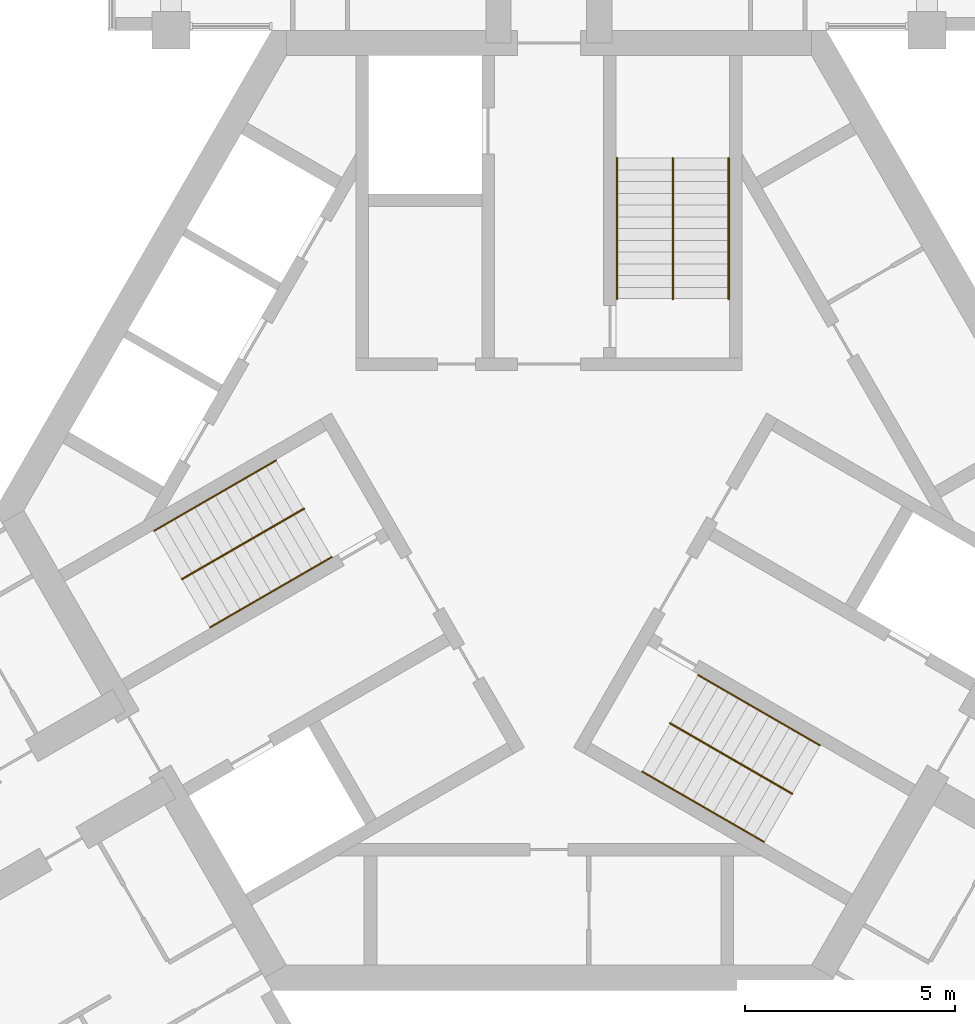
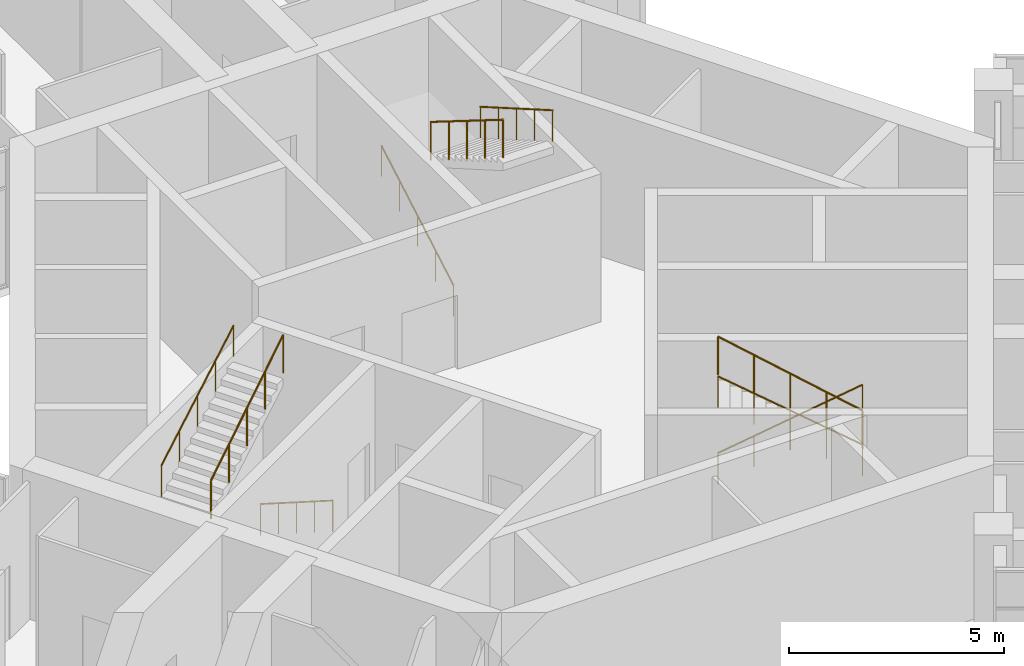
# One storey, part 14 of 14: 9 railings.
"""IFC4 building model written with IfcOpenShell, lengths in metres."""

from ifc_helpers import new_model, si_unit, direction, frame, origin, origin_2d, place, context, subcontext, project, spatial, circle, extrude, material, type_object, element, save


model = new_model("IFC4")

# Units and contexts
model_context = context("Model", 3, precision=1e-05, world=origin(), true_north=direction((0.0, 1.0)))
body_context = subcontext(model_context, "Body", "Model", "MODEL_VIEW")
ifc_project = project(units=[si_unit("LENGTHUNIT", "METRE"), si_unit("AREAUNIT", "SQUARE_METRE"), si_unit("VOLUMEUNIT", "CUBIC_METRE"), si_unit("PLANEANGLEUNIT", "RADIAN"), si_unit("MASSUNIT", "GRAM", prefix="KILO")], contexts=[model_context])

# Site, building, storey
site_placement = place(None, origin())
site = spatial("IfcSite", under=ifc_project, at=site_placement, CompositionType="ELEMENT")
building_placement = place(site_placement, origin())
building = spatial("IfcBuilding", under=site, at=building_placement, Name="Impinga Residences", CompositionType="ELEMENT")
storey_placement = place(building_placement, frame((0.0, 0.0, 291.550048828125)))
storey = spatial("IfcBuildingStorey", under=building, at=storey_placement, Name="L73", CompositionType="ELEMENT", Elevation=291.550048828125)

# Railings
ifc_material_1 = material(Name="Steel guard, powder coated", Category="steel")
railing_type_1 = type_object("IfcRailingType", Name="GR1 stair guard 1100", PredefinedType="GUARDRAIL", material=ifc_material_1)
railing_1_placement = place(storey_placement, frame((2.949951171875, 8.389892578125, 2.099853515625)))
element("IfcRailing", 1, at=railing_1_placement, inside=storey, type_object=railing_type_1, Name="Stair guard GR1 ST1 L73", PredefinedType="GUARDRAIL", context=body_context, shape_type="SweptSolid", body=[
    extrude(circle(Radius=0.02392578125, at=origin_2d()), frame((0.0, 0.0, 1.076171875), z_axis=(0.0, -0.847977533471, 0.530032171408), x_axis=(1.0, 0.0, 0.0)), (0.0, 0.0, 1.0), 3.962158203125),
    extrude(circle(Radius=0.02099609375, at=origin_2d()), origin(), (0.0, 0.0, 1.0), 1.052001953125),
    extrude(circle(Radius=0.02099609375, at=origin_2d()), frame((0.0, -0.83984375, 0.52490234375)), (0.0, 0.0, 1.0), 1.052001953125),
    extrude(circle(Radius=0.02099609375, at=origin_2d()), frame((0.0, -1.679931640625, 1.050048828125)), (0.0, 0.0, 1.0), 1.052001953125),
    extrude(circle(Radius=0.02099609375, at=origin_2d()), frame((0.0, -2.52001953125, 1.5751953125)), (0.0, 0.0, 1.0), 1.052001953125),
    extrude(circle(Radius=0.02099609375, at=origin_2d()), frame((0.0, -3.35986328125, 2.10009765625)), (0.0, 0.0, 1.0), 1.052001953125),
])
railing_2_placement = place(storey_placement, frame((-8.740966796875, -1.64013671875, 2.099853515625)))
element("IfcRailing", 2, at=railing_2_placement, inside=storey, type_object=railing_type_1, Name="Stair guard GR1 ST2 L73", PredefinedType="GUARDRAIL", context=body_context, shape_type="SweptSolid", body=[
    extrude(circle(Radius=0.02392578125, at=origin_2d()), frame((0.0, 0.0, 1.076171875), z_axis=(0.734391613324, 0.423974216904, 0.530013982533), x_axis=(-0.499976138585, 0.866039179741, 0.0)), (0.0, 0.0, 1.0), 3.96240234375),
    extrude(circle(Radius=0.02099609375, at=origin_2d()), origin(), (0.0, 0.0, 1.0), 1.052001953125),
    extrude(circle(Radius=0.02099609375, at=origin_2d()), frame((0.7275390625, 0.419921875, 0.52490234375)), (0.0, 0.0, 1.0), 1.052001953125),
    extrude(circle(Radius=0.02099609375, at=origin_2d()), frame((1.455078125, 0.83984375, 1.050048828125)), (0.0, 0.0, 1.0), 1.052001953125),
    extrude(circle(Radius=0.02099609375, at=origin_2d()), frame((2.182373046875, 1.260009765625, 1.5751953125)), (0.0, 0.0, 1.0), 1.052001953125),
    extrude(circle(Radius=0.02099609375, at=origin_2d()), frame((2.909912109375, 1.679931640625, 2.10009765625)), (0.0, 0.0, 1.0), 1.052001953125),
])
railing_3_placement = place(storey_placement, frame((5.791015625, -6.749755859375, 2.099853515625)))
element("IfcRailing", 3, at=railing_3_placement, inside=storey, type_object=railing_type_1, Name="Stair guard GR1 ST3 L73", PredefinedType="GUARDRAIL", context=body_context, shape_type="SweptSolid", body=[
    extrude(circle(Radius=0.02392578125, at=origin_2d()), frame((0.0, 0.0, 1.076171875), z_axis=(-0.734391613324, 0.423974216904, 0.530013982533), x_axis=(-0.499976138585, -0.866039179741, 0.0)), (0.0, 0.0, 1.0), 3.96240234375),
    extrude(circle(Radius=0.02099609375, at=origin_2d()), origin(), (0.0, 0.0, 1.0), 1.052001953125),
    extrude(circle(Radius=0.02099609375, at=origin_2d()), frame((-0.7275390625, 0.419921875, 0.52490234375)), (0.0, 0.0, 1.0), 1.052001953125),
    extrude(circle(Radius=0.02099609375, at=origin_2d()), frame((-1.455078125, 0.83984375, 1.050048828125)), (0.0, 0.0, 1.0), 1.052001953125),
    extrude(circle(Radius=0.02099609375, at=origin_2d()), frame((-2.182373046875, 1.260009765625, 1.5751953125)), (0.0, 0.0, 1.0), 1.052001953125),
    extrude(circle(Radius=0.02099609375, at=origin_2d()), frame((-2.909912109375, 1.679931640625, 2.10009765625)), (0.0, 0.0, 1.0), 1.052001953125),
])
ifc_material_2 = material(Name="Steel handrail tube 42 mm, powder coated", Category="steel")
railing_type_2 = type_object("IfcRailingType", Name="HR1 stair handrail, 42 mm steel tube, 900 above the pitch line", PredefinedType="HANDRAIL", material=ifc_material_2)
railing_4_placement = place(storey_placement, frame((1.62109375, 5.030029296875, 0.161376953125)))
element("IfcRailing", 4, at=railing_4_placement, inside=storey, type_object=railing_type_2, Name="Stair handrail HR1 ST1 L73", PredefinedType="HANDRAIL", context=body_context, shape_type="SweptSolid", body=[
    extrude(circle(Radius=0.02099609375, at=origin_2d()), frame((0.0, 0.0, 0.87890625), z_axis=(0.0, 0.866175107563, 0.499740615757), x_axis=(-1.0, 0.0, 0.0)), (0.0, 0.0, 1.0), 3.87890625),
    extrude(circle(Radius=0.012451171875, at=origin_2d()), origin(), (0.0, 0.0, 1.0), 0.85791015625),
    extrude(circle(Radius=0.012451171875, at=origin_2d()), frame((0.0, 0.83984375, 0.484619140625)), (0.0, 0.0, 1.0), 0.85791015625),
    extrude(circle(Radius=0.012451171875, at=origin_2d()), frame((0.0, 1.679931640625, 0.96923828125)), (0.0, 0.0, 1.0), 0.85791015625),
    extrude(circle(Radius=0.012451171875, at=origin_2d()), frame((0.0, 2.52001953125, 1.453857421875)), (0.0, 0.0, 1.0), 0.85791015625),
    extrude(circle(Radius=0.012451171875, at=origin_2d()), frame((0.0, 3.35986328125, 1.9384765625)), (0.0, 0.0, 1.0), 0.85791015625),
])
railing_5_placement = place(storey_placement, frame((4.279052734375, 8.389892578125, 2.261474609375)))
element("IfcRailing", 5, at=railing_5_placement, inside=storey, type_object=railing_type_2, Name="Stair handrail HR1 ST1 L73", PredefinedType="HANDRAIL", context=body_context, shape_type="SweptSolid", body=[
    extrude(circle(Radius=0.02099609375, at=origin_2d()), frame((0.0, 0.0, 0.87890625), z_axis=(0.0, -0.866175107563, 0.499740615757), x_axis=(1.0, 0.0, 0.0)), (0.0, 0.0, 1.0), 3.87890625),
    extrude(circle(Radius=0.012451171875, at=origin_2d()), origin(), (0.0, 0.0, 1.0), 0.85791015625),
    extrude(circle(Radius=0.012451171875, at=origin_2d()), frame((0.0, -0.83984375, 0.484619140625)), (0.0, 0.0, 1.0), 0.85791015625),
    extrude(circle(Radius=0.012451171875, at=origin_2d()), frame((0.0, -1.679931640625, 0.96923828125)), (0.0, 0.0, 1.0), 0.85791015625),
    extrude(circle(Radius=0.012451171875, at=origin_2d()), frame((0.0, -2.52001953125, 1.453857421875)), (0.0, 0.0, 1.0), 0.85791015625),
    extrude(circle(Radius=0.012451171875, at=origin_2d()), frame((0.0, -3.35986328125, 1.9384765625)), (0.0, 0.0, 1.0), 0.85791015625),
])
railing_6_placement = place(storey_placement, frame((-5.16650390625, -1.111083984375, 0.161376953125)))
element("IfcRailing", 6, at=railing_6_placement, inside=storey, type_object=railing_type_2, Name="Stair handrail HR1 ST2 L73", PredefinedType="HANDRAIL", context=body_context, shape_type="SweptSolid", body=[
    extrude(circle(Radius=0.02099609375, at=origin_2d()), frame((0.0, 0.0, 0.87890625), z_axis=(-0.750130072985, -0.43312317831, 0.499709101393), x_axis=(0.500030632641, -0.866007717299, 0.0)), (0.0, 0.0, 1.0), 3.879150390625),
    extrude(circle(Radius=0.012451171875, at=origin_2d()), origin(), (0.0, 0.0, 1.0), 0.85791015625),
    extrude(circle(Radius=0.012451171875, at=origin_2d()), frame((-0.7275390625, -0.419921875, 0.484619140625)), (0.0, 0.0, 1.0), 0.85791015625),
    extrude(circle(Radius=0.012451171875, at=origin_2d()), frame((-1.455078125, -0.840087890625, 0.96923828125)), (0.0, 0.0, 1.0), 0.85791015625),
    extrude(circle(Radius=0.012451171875, at=origin_2d()), frame((-2.182373046875, -1.26025390625, 1.453857421875)), (0.0, 0.0, 1.0), 0.85791015625),
    extrude(circle(Radius=0.012451171875, at=origin_2d()), frame((-2.909912109375, -1.68017578125, 1.9384765625)), (0.0, 0.0, 1.0), 0.85791015625),
])
railing_7_placement = place(storey_placement, frame((-9.405517578125, -0.4892578125, 2.261474609375)))
element("IfcRailing", 7, at=railing_7_placement, inside=storey, type_object=railing_type_2, Name="Stair handrail HR1 ST2 L73", PredefinedType="HANDRAIL", context=body_context, shape_type="SweptSolid", body=[
    extrude(circle(Radius=0.02099609375, at=origin_2d()), frame((0.0, 0.0, 0.87890625), z_axis=(0.750150520049, 0.433072047022, 0.499722722476), x_axis=(-0.499976138585, 0.866039179741, 0.0)), (0.0, 0.0, 1.0), 3.879150390625),
    extrude(circle(Radius=0.012451171875, at=origin_2d()), origin(), (0.0, 0.0, 1.0), 0.85791015625),
    extrude(circle(Radius=0.012451171875, at=origin_2d()), frame((0.7275390625, 0.419921875, 0.484619140625)), (0.0, 0.0, 1.0), 0.85791015625),
    extrude(circle(Radius=0.012451171875, at=origin_2d()), frame((1.455078125, 0.83984375, 0.96923828125)), (0.0, 0.0, 1.0), 0.85791015625),
    extrude(circle(Radius=0.012451171875, at=origin_2d()), frame((2.182373046875, 1.260009765625, 1.453857421875)), (0.0, 0.0, 1.0), 0.85791015625),
    extrude(circle(Radius=0.012451171875, at=origin_2d()), frame((2.909912109375, 1.679931640625, 1.9384765625)), (0.0, 0.0, 1.0), 0.85791015625),
])
railing_8_placement = place(storey_placement, frame((3.545654296875, -3.9189453125, 0.161376953125)))
element("IfcRailing", 8, at=railing_8_placement, inside=storey, type_object=railing_type_2, Name="Stair handrail HR1 ST3 L73", PredefinedType="HANDRAIL", context=body_context, shape_type="SweptSolid", body=[
    extrude(circle(Radius=0.02099609375, at=origin_2d()), frame((0.0, 0.0, 0.87890625), z_axis=(0.750150520049, -0.433072047022, 0.499722722476), x_axis=(0.499976138585, 0.866039179741, 0.0)), (0.0, 0.0, 1.0), 3.879150390625),
    extrude(circle(Radius=0.012451171875, at=origin_2d()), origin(), (0.0, 0.0, 1.0), 0.85791015625),
    extrude(circle(Radius=0.012451171875, at=origin_2d()), frame((0.7275390625, -0.419921875, 0.484619140625)), (0.0, 0.0, 1.0), 0.85791015625),
    extrude(circle(Radius=0.012451171875, at=origin_2d()), frame((1.455078125, -0.83984375, 0.96923828125)), (0.0, 0.0, 1.0), 0.85791015625),
    extrude(circle(Radius=0.012451171875, at=origin_2d()), frame((2.182373046875, -1.260009765625, 1.453857421875)), (0.0, 0.0, 1.0), 0.85791015625),
    extrude(circle(Radius=0.012451171875, at=origin_2d()), frame((2.909912109375, -1.679931640625, 1.9384765625)), (0.0, 0.0, 1.0), 0.85791015625),
])
railing_9_placement = place(storey_placement, frame((5.12646484375, -7.900634765625, 2.261474609375)))
element("IfcRailing", 9, at=railing_9_placement, inside=storey, type_object=railing_type_2, Name="Stair handrail HR1 ST3 L73", PredefinedType="HANDRAIL", context=body_context, shape_type="SweptSolid", body=[
    extrude(circle(Radius=0.02099609375, at=origin_2d()), frame((0.0, 0.0, 0.87890625), z_axis=(-0.750150520049, 0.433072047022, 0.499722722476), x_axis=(-0.499976138585, -0.866039179741, 0.0)), (0.0, 0.0, 1.0), 3.879150390625),
    extrude(circle(Radius=0.012451171875, at=origin_2d()), origin(), (0.0, 0.0, 1.0), 0.85791015625),
    extrude(circle(Radius=0.012451171875, at=origin_2d()), frame((-0.7275390625, 0.419921875, 0.484619140625)), (0.0, 0.0, 1.0), 0.85791015625),
    extrude(circle(Radius=0.012451171875, at=origin_2d()), frame((-1.455078125, 0.83984375, 0.96923828125)), (0.0, 0.0, 1.0), 0.85791015625),
    extrude(circle(Radius=0.012451171875, at=origin_2d()), frame((-2.182373046875, 1.260009765625, 1.453857421875)), (0.0, 0.0, 1.0), 0.85791015625),
    extrude(circle(Radius=0.012451171875, at=origin_2d()), frame((-2.909912109375, 1.679931640625, 1.9384765625)), (0.0, 0.0, 1.0), 0.85791015625),
])

save(model, "model.ifc")
